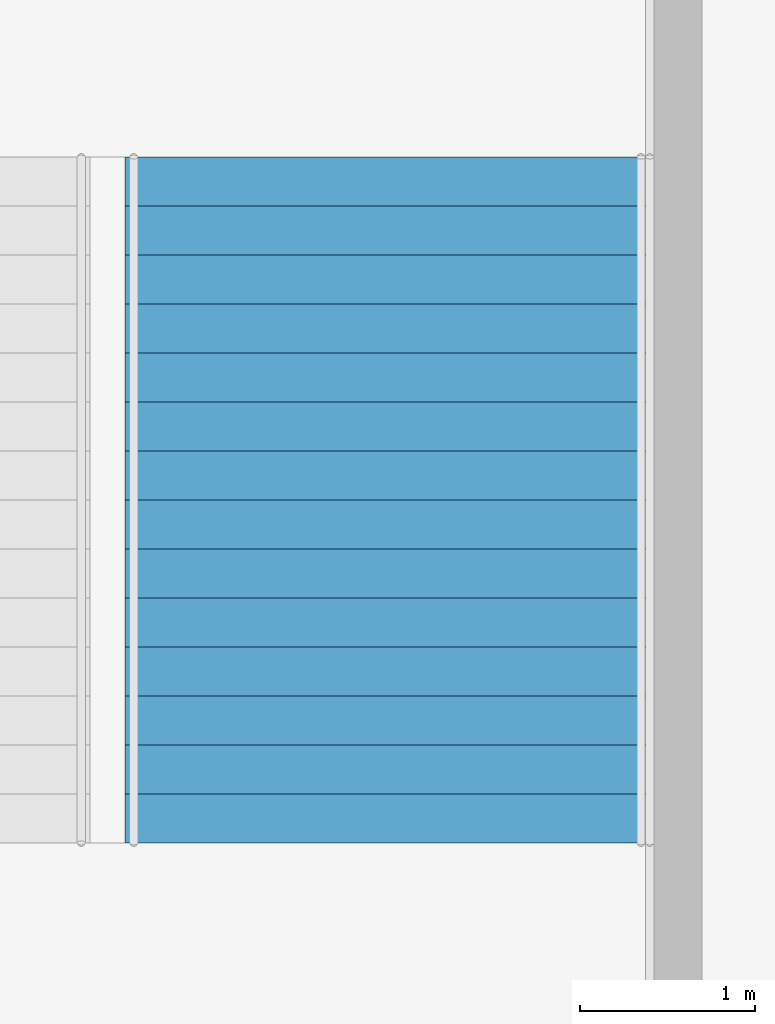
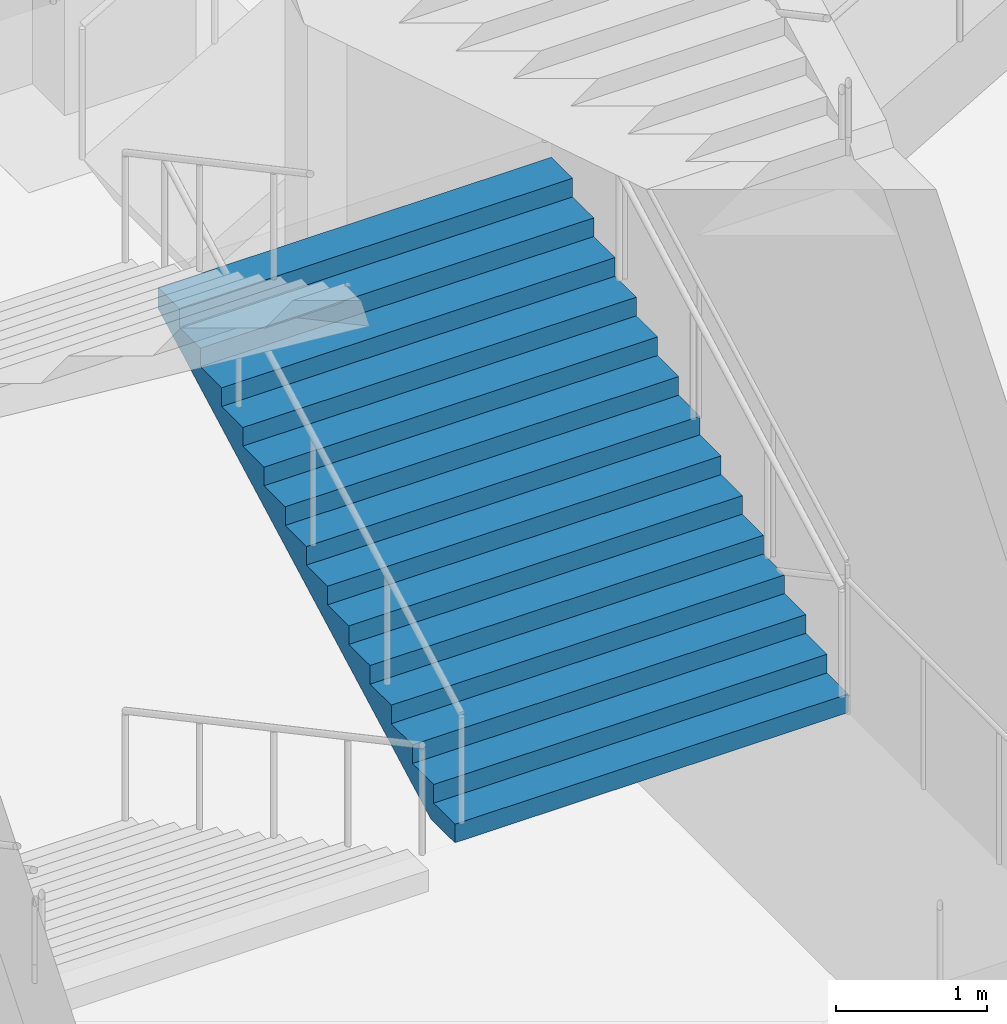
# One storey, part 98 of 113: 1 stair flight, 1 element without a shape of its own.
"""IFC4 building model written with IfcOpenShell, lengths in metres."""

from ifc_helpers import new_model, si_unit, direction, frame, origin, place, context, subcontext, project, spatial, triangles, material, type_object, element, aggregate, save


model = new_model("IFC4")

# Units and contexts
model_context = context("Model", 3, precision=1e-05, world=origin(), true_north=direction((0.0, 1.0)))
body_context = subcontext(model_context, "Body", "Model", "MODEL_VIEW")
ifc_project = project(units=[si_unit("LENGTHUNIT", "METRE"), si_unit("AREAUNIT", "SQUARE_METRE"), si_unit("VOLUMEUNIT", "CUBIC_METRE"), si_unit("PLANEANGLEUNIT", "RADIAN"), si_unit("MASSUNIT", "GRAM", prefix="KILO")], contexts=[model_context])

# Site, building, storey
site_placement = place(None, origin())
site = spatial("IfcSite", under=ifc_project, at=site_placement, CompositionType="ELEMENT")
building_placement = place(site_placement, origin())
building = spatial("IfcBuilding", under=site, at=building_placement, Name="Hakoniwa Tower and Hamabe Station Hall", CompositionType="ELEMENT")
storey_placement = place(building_placement, origin())
storey = spatial("IfcBuildingStorey", under=building, at=storey_placement, Name="L01", CompositionType="ELEMENT", Elevation=0.0)

# Stair, stair flight
ifc_material_1 = material(Name="Concrete C40", Category="concrete")
stair_type = type_object("IfcStairType", Name="STAIR 3000 15X150", PredefinedType="HALF_TURN_STAIR", material=ifc_material_1)
stair_placement = place(storey_placement, origin())
stair = element("IfcStair", 1, at=stair_placement, inside=storey, type_object=stair_type, Name="Concourse stair 1 L01-L02", PredefinedType="HALF_TURN_STAIR")
ifc_material_2 = material(Name="Concrete C40", Category="concrete")
stair_flight_type = type_object("IfcStairFlightType", Name="STAIR FLIGHT 3000", PredefinedType="STRAIGHT", material=ifc_material_2)
stair_flight_placement = place(storey_placement, frame((124.989990234375, -4.02001953125, 2.25), z_axis=(0.0, 0.0, 1.0), x_axis=(0.0, 1.0, 0.0)))
stair_flight = element("IfcStairFlight", 2, at=stair_flight_placement, type_object=stair_flight_type, Name="CS1 flight 2", NumberOfRisers=15, NumberOfTreads=14, PredefinedType="STRAIGHT", RiserHeight=0.15, TreadLength=0.28, context=body_context, shape_type="Tessellation", body=[
    triangles([(0.0, 1.5, 0.0), (0.280029296875, 1.5, 0.0), (0.3173828125, 1.5, 0.0), (0.56005859375, 1.5, 0.1298828125), (0.840087890625, 1.5, 0.280029296875), (1.1201171875, 1.5, 0.429931640625), (1.39990234375, 1.5, 0.579833984375), (1.679931640625, 1.5, 0.72998046875), (1.9599609375, 1.5, 0.8798828125), (2.239990234375, 1.5, 1.030029296875), (2.52001953125, 1.5, 1.179931640625), (2.800048828125, 1.5, 1.329833984375), (3.080078125, 1.5, 1.47998046875), (3.360107421875, 1.5, 1.6298828125), (3.639892578125, 1.5, 1.780029296875), (3.919921875, 1.5, 1.929931640625), (3.919921875, 1.5, 2.10009765625), (3.639892578125, 1.5, 2.10009765625), (3.639892578125, 1.5, 1.949951171875), (3.360107421875, 1.5, 1.949951171875), (3.360107421875, 1.5, 1.800048828125), (3.080078125, 1.5, 1.800048828125), (3.080078125, 1.5, 1.64990234375), (2.800048828125, 1.5, 1.64990234375), (2.800048828125, 1.5, 1.5), (2.52001953125, 1.5, 1.5), (2.52001953125, 1.5, 1.35009765625), (2.239990234375, 1.5, 1.35009765625), (2.239990234375, 1.5, 1.199951171875), (1.9599609375, 1.5, 1.199951171875), (1.9599609375, 1.5, 1.050048828125), (1.679931640625, 1.5, 1.050048828125), (1.679931640625, 1.5, 0.89990234375), (1.39990234375, 1.5, 0.89990234375), (1.39990234375, 1.5, 0.75), (1.1201171875, 1.5, 0.75), (1.1201171875, 1.5, 0.60009765625), (0.840087890625, 1.5, 0.60009765625), (0.840087890625, 1.5, 0.449951171875), (0.56005859375, 1.5, 0.449951171875), (0.56005859375, 1.5, 0.300048828125), (0.3173828125, 1.5, 0.300048828125), (0.280029296875, 1.5, 0.300048828125), (0.280029296875, 1.5, 0.14990234375), (0.0, 1.5, 0.14990234375), (0.0, 0.06005859375, 0.0), (0.280029296875, 0.06005859375, 0.0), (0.3173828125, 0.06005859375, 0.0), (0.56005859375, 0.06005859375, 0.1298828125), (0.840087890625, 0.06005859375, 0.280029296875), (1.1201171875, 0.06005859375, 0.429931640625), (1.39990234375, 0.06005859375, 0.579833984375), (1.679931640625, 0.06005859375, 0.72998046875), (1.9599609375, 0.06005859375, 0.8798828125), (2.239990234375, 0.06005859375, 1.030029296875), (2.52001953125, 0.06005859375, 1.179931640625), (2.800048828125, 0.06005859375, 1.329833984375), (3.080078125, 0.06005859375, 1.47998046875), (3.360107421875, 0.06005859375, 1.6298828125), (3.639892578125, 0.06005859375, 1.780029296875), (3.919921875, 0.06005859375, 1.929931640625), (3.919921875, 0.06005859375, 2.10009765625), (3.639892578125, 0.06005859375, 2.10009765625), (3.639892578125, 0.06005859375, 1.949951171875), (3.360107421875, 0.06005859375, 1.949951171875), (3.360107421875, 0.06005859375, 1.800048828125), (3.080078125, 0.06005859375, 1.800048828125), (3.080078125, 0.06005859375, 1.64990234375), (2.800048828125, 0.06005859375, 1.64990234375), (2.800048828125, 0.06005859375, 1.5), (2.52001953125, 0.06005859375, 1.5), (2.52001953125, 0.06005859375, 1.35009765625), (2.239990234375, 0.06005859375, 1.35009765625), (2.239990234375, 0.06005859375, 1.199951171875), (1.9599609375, 0.06005859375, 1.199951171875), (1.9599609375, 0.06005859375, 1.050048828125), (1.679931640625, 0.06005859375, 1.050048828125), (1.679931640625, 0.06005859375, 0.89990234375), (1.39990234375, 0.06005859375, 0.89990234375), (1.39990234375, 0.06005859375, 0.75), (1.1201171875, 0.06005859375, 0.75), (1.1201171875, 0.06005859375, 0.60009765625), (0.840087890625, 0.06005859375, 0.60009765625), (0.840087890625, 0.06005859375, 0.449951171875), (0.56005859375, 0.06005859375, 0.449951171875), (0.56005859375, 0.06005859375, 0.300048828125), (0.3173828125, 0.06005859375, 0.300048828125), (0.280029296875, 0.06005859375, 0.300048828125), (0.280029296875, 0.06005859375, 0.14990234375), (0.0, 0.06005859375, 0.14990234375), (0.0, 0.02001953125, 0.0), (0.280029296875, 0.02001953125, 0.0), (0.3173828125, 0.02001953125, 0.0), (0.56005859375, 0.02001953125, 0.1298828125), (0.840087890625, 0.02001953125, 0.280029296875), (1.1201171875, 0.02001953125, 0.429931640625), (1.39990234375, 0.02001953125, 0.579833984375), (1.679931640625, 0.02001953125, 0.72998046875), (1.9599609375, 0.02001953125, 0.8798828125), (2.239990234375, 0.02001953125, 1.030029296875), (2.52001953125, 0.02001953125, 1.179931640625), (2.800048828125, 0.02001953125, 1.329833984375), (3.080078125, 0.02001953125, 1.47998046875), (3.360107421875, 0.02001953125, 1.6298828125), (3.639892578125, 0.02001953125, 1.780029296875), (3.919921875, 0.02001953125, 1.929931640625), (3.919921875, 0.02001953125, 2.10009765625), (3.639892578125, 0.02001953125, 2.10009765625), (3.639892578125, 0.02001953125, 1.949951171875), (3.360107421875, 0.02001953125, 1.949951171875), (3.360107421875, 0.02001953125, 1.800048828125), (3.080078125, 0.02001953125, 1.800048828125), (3.080078125, 0.02001953125, 1.64990234375), (2.800048828125, 0.02001953125, 1.64990234375), (2.800048828125, 0.02001953125, 1.5), (2.52001953125, 0.02001953125, 1.5), (2.52001953125, 0.02001953125, 1.35009765625), (2.239990234375, 0.02001953125, 1.35009765625), (2.239990234375, 0.02001953125, 1.199951171875), (1.9599609375, 0.02001953125, 1.199951171875), (1.9599609375, 0.02001953125, 1.050048828125), (1.679931640625, 0.02001953125, 1.050048828125), (1.679931640625, 0.02001953125, 0.89990234375), (1.39990234375, 0.02001953125, 0.89990234375), (1.39990234375, 0.02001953125, 0.75), (1.1201171875, 0.02001953125, 0.75), (1.1201171875, 0.02001953125, 0.60009765625), (0.840087890625, 0.02001953125, 0.60009765625), (0.840087890625, 0.02001953125, 0.449951171875), (0.56005859375, 0.02001953125, 0.449951171875), (0.56005859375, 0.02001953125, 0.300048828125), (0.3173828125, 0.02001953125, 0.300048828125), (0.280029296875, 0.02001953125, 0.300048828125), (0.280029296875, 0.02001953125, 0.14990234375), (0.0, 0.02001953125, 0.14990234375), (0.0, -0.02001953125, 0.0), (0.280029296875, -0.02001953125, 0.0), (0.3173828125, -0.02001953125, 0.0), (0.56005859375, -0.02001953125, 0.1298828125), (0.840087890625, -0.02001953125, 0.280029296875), (1.1201171875, -0.02001953125, 0.429931640625), (1.39990234375, -0.02001953125, 0.579833984375), (1.679931640625, -0.02001953125, 0.72998046875), (1.9599609375, -0.02001953125, 0.8798828125), (2.239990234375, -0.02001953125, 1.030029296875), (2.52001953125, -0.02001953125, 1.179931640625), (2.800048828125, -0.02001953125, 1.329833984375), (3.080078125, -0.02001953125, 1.47998046875), (3.360107421875, -0.02001953125, 1.6298828125), (3.639892578125, -0.02001953125, 1.780029296875), (3.919921875, -0.02001953125, 1.929931640625), (3.919921875, -0.02001953125, 2.10009765625), (3.639892578125, -0.02001953125, 2.10009765625), (3.639892578125, -0.02001953125, 1.949951171875), (3.360107421875, -0.02001953125, 1.949951171875), (3.360107421875, -0.02001953125, 1.800048828125), (3.080078125, -0.02001953125, 1.800048828125), (3.080078125, -0.02001953125, 1.64990234375), (2.800048828125, -0.02001953125, 1.64990234375), (2.800048828125, -0.02001953125, 1.5), (2.52001953125, -0.02001953125, 1.5), (2.52001953125, -0.02001953125, 1.35009765625), (2.239990234375, -0.02001953125, 1.35009765625), (2.239990234375, -0.02001953125, 1.199951171875), (1.9599609375, -0.02001953125, 1.199951171875), (1.9599609375, -0.02001953125, 1.050048828125), (1.679931640625, -0.02001953125, 1.050048828125), (1.679931640625, -0.02001953125, 0.89990234375), (1.39990234375, -0.02001953125, 0.89990234375), (1.39990234375, -0.02001953125, 0.75), (1.1201171875, -0.02001953125, 0.75), (1.1201171875, -0.02001953125, 0.60009765625), (0.840087890625, -0.02001953125, 0.60009765625), (0.840087890625, -0.02001953125, 0.449951171875), (0.56005859375, -0.02001953125, 0.449951171875), (0.56005859375, -0.02001953125, 0.300048828125), (0.3173828125, -0.02001953125, 0.300048828125), (0.280029296875, -0.02001953125, 0.300048828125), (0.280029296875, -0.02001953125, 0.14990234375), (0.0, -0.02001953125, 0.14990234375), (0.0, -0.06005859375, 0.0), (0.280029296875, -0.06005859375, 0.0), (0.3173828125, -0.06005859375, 0.0), (0.56005859375, -0.06005859375, 0.1298828125), (0.840087890625, -0.06005859375, 0.280029296875), (1.1201171875, -0.06005859375, 0.429931640625), (1.39990234375, -0.06005859375, 0.579833984375), (1.679931640625, -0.06005859375, 0.72998046875), (1.9599609375, -0.06005859375, 0.8798828125), (2.239990234375, -0.06005859375, 1.030029296875), (2.52001953125, -0.06005859375, 1.179931640625), (2.800048828125, -0.06005859375, 1.329833984375), (3.080078125, -0.06005859375, 1.47998046875), (3.360107421875, -0.06005859375, 1.6298828125), (3.639892578125, -0.06005859375, 1.780029296875), (3.919921875, -0.06005859375, 1.929931640625), (3.919921875, -0.06005859375, 2.10009765625), (3.639892578125, -0.06005859375, 2.10009765625), (3.639892578125, -0.06005859375, 1.949951171875), (3.360107421875, -0.06005859375, 1.949951171875), (3.360107421875, -0.06005859375, 1.800048828125), (3.080078125, -0.06005859375, 1.800048828125), (3.080078125, -0.06005859375, 1.64990234375), (2.800048828125, -0.06005859375, 1.64990234375), (2.800048828125, -0.06005859375, 1.5), (2.52001953125, -0.06005859375, 1.5), (2.52001953125, -0.06005859375, 1.35009765625), (2.239990234375, -0.06005859375, 1.35009765625), (2.239990234375, -0.06005859375, 1.199951171875), (1.9599609375, -0.06005859375, 1.199951171875), (1.9599609375, -0.06005859375, 1.050048828125), (1.679931640625, -0.06005859375, 1.050048828125), (1.679931640625, -0.06005859375, 0.89990234375), (1.39990234375, -0.06005859375, 0.89990234375), (1.39990234375, -0.06005859375, 0.75), (1.1201171875, -0.06005859375, 0.75), (1.1201171875, -0.06005859375, 0.60009765625), (0.840087890625, -0.06005859375, 0.60009765625), (0.840087890625, -0.06005859375, 0.449951171875), (0.56005859375, -0.06005859375, 0.449951171875), (0.56005859375, -0.06005859375, 0.300048828125), (0.3173828125, -0.06005859375, 0.300048828125), (0.280029296875, -0.06005859375, 0.300048828125), (0.280029296875, -0.06005859375, 0.14990234375), (0.0, -0.06005859375, 0.14990234375), (0.0, -1.5, 0.0), (0.280029296875, -1.5, 0.0), (0.3173828125, -1.5, 0.0), (0.56005859375, -1.5, 0.1298828125), (0.840087890625, -1.5, 0.280029296875), (1.1201171875, -1.5, 0.429931640625), (1.39990234375, -1.5, 0.579833984375), (1.679931640625, -1.5, 0.72998046875), (1.9599609375, -1.5, 0.8798828125), (2.239990234375, -1.5, 1.030029296875), (2.52001953125, -1.5, 1.179931640625), (2.800048828125, -1.5, 1.329833984375), (3.080078125, -1.5, 1.47998046875), (3.360107421875, -1.5, 1.6298828125), (3.639892578125, -1.5, 1.780029296875), (3.919921875, -1.5, 1.929931640625), (3.919921875, -1.5, 2.10009765625), (3.639892578125, -1.5, 2.10009765625), (3.639892578125, -1.5, 1.949951171875), (3.360107421875, -1.5, 1.949951171875), (3.360107421875, -1.5, 1.800048828125), (3.080078125, -1.5, 1.800048828125), (3.080078125, -1.5, 1.64990234375), (2.800048828125, -1.5, 1.64990234375), (2.800048828125, -1.5, 1.5), (2.52001953125, -1.5, 1.5), (2.52001953125, -1.5, 1.35009765625), (2.239990234375, -1.5, 1.35009765625), (2.239990234375, -1.5, 1.199951171875), (1.9599609375, -1.5, 1.199951171875), (1.9599609375, -1.5, 1.050048828125), (1.679931640625, -1.5, 1.050048828125), (1.679931640625, -1.5, 0.89990234375), (1.39990234375, -1.5, 0.89990234375), (1.39990234375, -1.5, 0.75), (1.1201171875, -1.5, 0.75), (1.1201171875, -1.5, 0.60009765625), (0.840087890625, -1.5, 0.60009765625), (0.840087890625, -1.5, 0.449951171875), (0.56005859375, -1.5, 0.449951171875), (0.56005859375, -1.5, 0.300048828125), (0.3173828125, -1.5, 0.300048828125), (0.280029296875, -1.5, 0.300048828125), (0.280029296875, -1.5, 0.14990234375), (0.0, -1.5, 0.14990234375)], [[2, 45, 44], [227, 269, 270], [2, 1, 45], [227, 270, 226], [3, 43, 42], [228, 267, 268], [3, 44, 43], [228, 268, 269], [3, 2, 44], [228, 269, 227], [4, 42, 41], [229, 266, 267], [4, 3, 42], [229, 267, 228], [5, 40, 39], [230, 264, 265], [5, 41, 40], [230, 265, 266], [5, 4, 41], [230, 266, 229], [6, 38, 37], [231, 262, 263], [6, 39, 38], [231, 263, 264], [6, 5, 39], [231, 264, 230], [7, 36, 35], [232, 260, 261], [7, 37, 36], [232, 261, 262], [7, 6, 37], [232, 262, 231], [8, 34, 33], [233, 258, 259], [8, 35, 34], [233, 259, 260], [8, 7, 35], [233, 260, 232], [9, 32, 31], [234, 256, 257], [9, 33, 32], [234, 257, 258], [9, 8, 33], [234, 258, 233], [10, 30, 29], [235, 254, 255], [10, 31, 30], [235, 255, 256], [10, 9, 31], [235, 256, 234], [11, 28, 27], [236, 252, 253], [11, 29, 28], [236, 253, 254], [11, 10, 29], [236, 254, 235], [12, 26, 25], [237, 250, 251], [12, 27, 26], [237, 251, 252], [12, 11, 27], [237, 252, 236], [13, 24, 23], [238, 248, 249], [13, 25, 24], [238, 249, 250], [13, 12, 25], [238, 250, 237], [14, 22, 21], [239, 246, 247], [14, 23, 22], [239, 247, 248], [14, 13, 23], [239, 248, 238], [15, 20, 19], [240, 244, 245], [15, 21, 20], [240, 245, 246], [15, 14, 21], [240, 246, 239], [16, 18, 17], [241, 242, 243], [16, 19, 18], [241, 243, 244], [16, 15, 19], [241, 244, 240], [1, 2, 47], [1, 47, 46], [46, 47, 92], [46, 92, 91], [91, 92, 137], [91, 137, 136], [136, 137, 182], [136, 182, 181], [181, 182, 227], [181, 227, 226], [2, 3, 48], [2, 48, 47], [47, 48, 93], [47, 93, 92], [92, 93, 138], [92, 138, 137], [137, 138, 183], [137, 183, 182], [182, 183, 228], [182, 228, 227], [3, 4, 49], [3, 49, 48], [48, 49, 94], [48, 94, 93], [93, 94, 139], [93, 139, 138], [138, 139, 184], [138, 184, 183], [183, 184, 229], [183, 229, 228], [4, 5, 50], [4, 50, 49], [49, 50, 95], [49, 95, 94], [94, 95, 140], [94, 140, 139], [139, 140, 185], [139, 185, 184], [184, 185, 230], [184, 230, 229], [5, 6, 51], [5, 51, 50], [50, 51, 96], [50, 96, 95], [95, 96, 141], [95, 141, 140], [140, 141, 186], [140, 186, 185], [185, 186, 231], [185, 231, 230], [6, 7, 52], [6, 52, 51], [51, 52, 97], [51, 97, 96], [96, 97, 142], [96, 142, 141], [141, 142, 187], [141, 187, 186], [186, 187, 232], [186, 232, 231], [7, 8, 53], [7, 53, 52], [52, 53, 98], [52, 98, 97], [97, 98, 143], [97, 143, 142], [142, 143, 188], [142, 188, 187], [187, 188, 233], [187, 233, 232], [8, 9, 54], [8, 54, 53], [53, 54, 99], [53, 99, 98], [98, 99, 144], [98, 144, 143], [143, 144, 189], [143, 189, 188], [188, 189, 234], [188, 234, 233], [9, 10, 55], [9, 55, 54], [54, 55, 100], [54, 100, 99], [99, 100, 145], [99, 145, 144], [144, 145, 190], [144, 190, 189], [189, 190, 235], [189, 235, 234], [10, 11, 56], [10, 56, 55], [55, 56, 101], [55, 101, 100], [100, 101, 146], [100, 146, 145], [145, 146, 191], [145, 191, 190], [190, 191, 236], [190, 236, 235], [11, 12, 57], [11, 57, 56], [56, 57, 102], [56, 102, 101], [101, 102, 147], [101, 147, 146], [146, 147, 192], [146, 192, 191], [191, 192, 237], [191, 237, 236], [12, 13, 58], [12, 58, 57], [57, 58, 103], [57, 103, 102], [102, 103, 148], [102, 148, 147], [147, 148, 193], [147, 193, 192], [192, 193, 238], [192, 238, 237], [13, 14, 59], [13, 59, 58], [58, 59, 104], [58, 104, 103], [103, 104, 149], [103, 149, 148], [148, 149, 194], [148, 194, 193], [193, 194, 239], [193, 239, 238], [14, 15, 60], [14, 60, 59], [59, 60, 105], [59, 105, 104], [104, 105, 150], [104, 150, 149], [149, 150, 195], [149, 195, 194], [194, 195, 240], [194, 240, 239], [15, 16, 61], [15, 61, 60], [60, 61, 106], [60, 106, 105], [105, 106, 151], [105, 151, 150], [150, 151, 196], [150, 196, 195], [195, 196, 241], [195, 241, 240], [16, 17, 62], [16, 62, 61], [61, 62, 107], [61, 107, 106], [106, 107, 152], [106, 152, 151], [151, 152, 197], [151, 197, 196], [196, 197, 242], [196, 242, 241], [17, 18, 63], [17, 63, 62], [62, 63, 108], [62, 108, 107], [107, 108, 153], [107, 153, 152], [152, 153, 198], [152, 198, 197], [197, 198, 243], [197, 243, 242], [18, 19, 64], [18, 64, 63], [63, 64, 109], [63, 109, 108], [108, 109, 154], [108, 154, 153], [153, 154, 199], [153, 199, 198], [198, 199, 244], [198, 244, 243], [19, 20, 65], [19, 65, 64], [64, 65, 110], [64, 110, 109], [109, 110, 155], [109, 155, 154], [154, 155, 200], [154, 200, 199], [199, 200, 245], [199, 245, 244], [20, 21, 66], [20, 66, 65], [65, 66, 111], [65, 111, 110], [110, 111, 156], [110, 156, 155], [155, 156, 201], [155, 201, 200], [200, 201, 246], [200, 246, 245], [21, 22, 67], [21, 67, 66], [66, 67, 112], [66, 112, 111], [111, 112, 157], [111, 157, 156], [156, 157, 202], [156, 202, 201], [201, 202, 247], [201, 247, 246], [22, 23, 68], [22, 68, 67], [67, 68, 113], [67, 113, 112], [112, 113, 158], [112, 158, 157], [157, 158, 203], [157, 203, 202], [202, 203, 248], [202, 248, 247], [23, 24, 69], [23, 69, 68], [68, 69, 114], [68, 114, 113], [113, 114, 159], [113, 159, 158], [158, 159, 204], [158, 204, 203], [203, 204, 249], [203, 249, 248], [24, 25, 70], [24, 70, 69], [69, 70, 115], [69, 115, 114], [114, 115, 160], [114, 160, 159], [159, 160, 205], [159, 205, 204], [204, 205, 250], [204, 250, 249], [25, 26, 71], [25, 71, 70], [70, 71, 116], [70, 116, 115], [115, 116, 161], [115, 161, 160], [160, 161, 206], [160, 206, 205], [205, 206, 251], [205, 251, 250], [26, 27, 72], [26, 72, 71], [71, 72, 117], [71, 117, 116], [116, 117, 162], [116, 162, 161], [161, 162, 207], [161, 207, 206], [206, 207, 252], [206, 252, 251], [27, 28, 73], [27, 73, 72], [72, 73, 118], [72, 118, 117], [117, 118, 163], [117, 163, 162], [162, 163, 208], [162, 208, 207], [207, 208, 253], [207, 253, 252], [28, 29, 74], [28, 74, 73], [73, 74, 119], [73, 119, 118], [118, 119, 164], [118, 164, 163], [163, 164, 209], [163, 209, 208], [208, 209, 254], [208, 254, 253], [29, 30, 75], [29, 75, 74], [74, 75, 120], [74, 120, 119], [119, 120, 165], [119, 165, 164], [164, 165, 210], [164, 210, 209], [209, 210, 255], [209, 255, 254], [30, 31, 76], [30, 76, 75], [75, 76, 121], [75, 121, 120], [120, 121, 166], [120, 166, 165], [165, 166, 211], [165, 211, 210], [210, 211, 256], [210, 256, 255], [31, 32, 77], [31, 77, 76], [76, 77, 122], [76, 122, 121], [121, 122, 167], [121, 167, 166], [166, 167, 212], [166, 212, 211], [211, 212, 257], [211, 257, 256], [32, 33, 78], [32, 78, 77], [77, 78, 123], [77, 123, 122], [122, 123, 168], [122, 168, 167], [167, 168, 213], [167, 213, 212], [212, 213, 258], [212, 258, 257], [33, 34, 79], [33, 79, 78], [78, 79, 124], [78, 124, 123], [123, 124, 169], [123, 169, 168], [168, 169, 214], [168, 214, 213], [213, 214, 259], [213, 259, 258], [34, 35, 80], [34, 80, 79], [79, 80, 125], [79, 125, 124], [124, 125, 170], [124, 170, 169], [169, 170, 215], [169, 215, 214], [214, 215, 260], [214, 260, 259], [35, 36, 81], [35, 81, 80], [80, 81, 126], [80, 126, 125], [125, 126, 171], [125, 171, 170], [170, 171, 216], [170, 216, 215], [215, 216, 261], [215, 261, 260], [36, 37, 82], [36, 82, 81], [81, 82, 127], [81, 127, 126], [126, 127, 172], [126, 172, 171], [171, 172, 217], [171, 217, 216], [216, 217, 262], [216, 262, 261], [37, 38, 83], [37, 83, 82], [82, 83, 128], [82, 128, 127], [127, 128, 173], [127, 173, 172], [172, 173, 218], [172, 218, 217], [217, 218, 263], [217, 263, 262], [38, 39, 84], [38, 84, 83], [83, 84, 129], [83, 129, 128], [128, 129, 174], [128, 174, 173], [173, 174, 219], [173, 219, 218], [218, 219, 264], [218, 264, 263], [39, 40, 85], [39, 85, 84], [84, 85, 130], [84, 130, 129], [129, 130, 175], [129, 175, 174], [174, 175, 220], [174, 220, 219], [219, 220, 265], [219, 265, 264], [40, 41, 86], [40, 86, 85], [85, 86, 131], [85, 131, 130], [130, 131, 176], [130, 176, 175], [175, 176, 221], [175, 221, 220], [220, 221, 266], [220, 266, 265], [41, 42, 87], [41, 87, 86], [86, 87, 132], [86, 132, 131], [131, 132, 177], [131, 177, 176], [176, 177, 222], [176, 222, 221], [221, 222, 267], [221, 267, 266], [42, 43, 88], [42, 88, 87], [87, 88, 133], [87, 133, 132], [132, 133, 178], [132, 178, 177], [177, 178, 223], [177, 223, 222], [222, 223, 268], [222, 268, 267], [43, 44, 89], [43, 89, 88], [88, 89, 134], [88, 134, 133], [133, 134, 179], [133, 179, 178], [178, 179, 224], [178, 224, 223], [223, 224, 269], [223, 269, 268], [44, 45, 90], [44, 90, 89], [89, 90, 135], [89, 135, 134], [134, 135, 180], [134, 180, 179], [179, 180, 225], [179, 225, 224], [224, 225, 270], [224, 270, 269], [45, 1, 46], [45, 46, 90], [90, 46, 91], [90, 91, 135], [135, 91, 136], [135, 136, 180], [180, 136, 181], [180, 181, 225], [225, 181, 226], [225, 226, 270]], closed=True),
])
aggregate(stair, [stair_flight])

save(model, "model.ifc")
